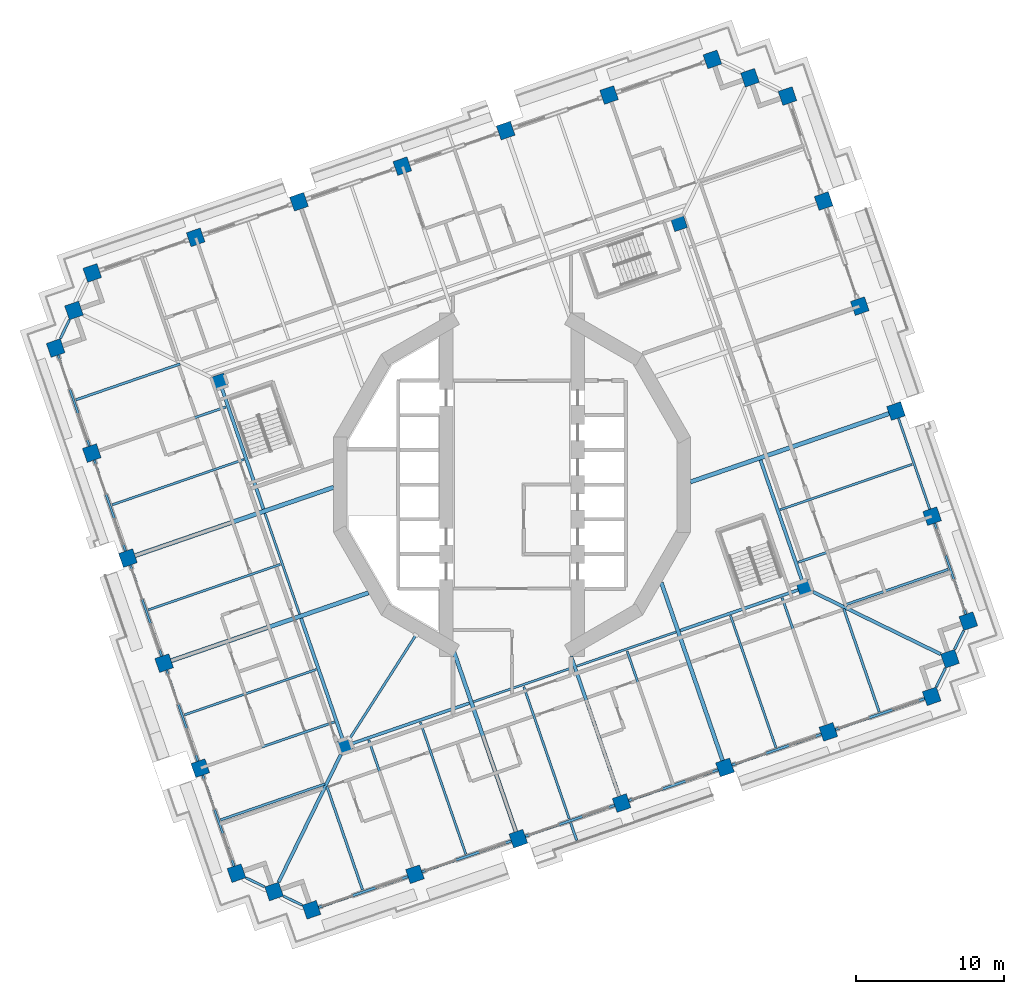
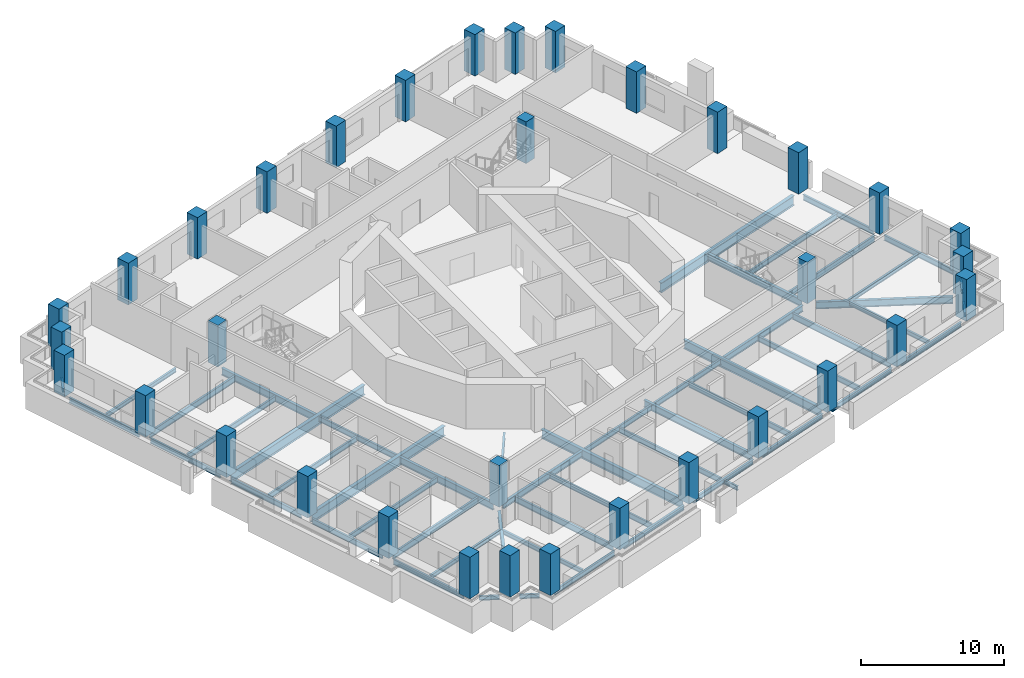
# One storey, part 1 of 19: 54 beams, 34 columns.
"""IFC4 building model written with IfcOpenShell, lengths in metres."""

from ifc_helpers import new_model, si_unit, direction, frame, origin, origin_2d, place, context, subcontext, project, spatial, rectangle, i_section, extrude, material, material_profile, profile_set, type_object, element, save


model = new_model("IFC4")

# Units and contexts
model_context = context("Model", 3, precision=1e-05, world=origin(), true_north=direction((0.0, 1.0)))
body_context = subcontext(model_context, "Body", "Model", "MODEL_VIEW")
ifc_project = project(units=[si_unit("LENGTHUNIT", "METRE"), si_unit("AREAUNIT", "SQUARE_METRE"), si_unit("VOLUMEUNIT", "CUBIC_METRE"), si_unit("PLANEANGLEUNIT", "RADIAN"), si_unit("MASSUNIT", "GRAM", prefix="KILO")], contexts=[model_context])

# Site, building, storey
site_placement = place(None, origin())
site = spatial("IfcSite", under=ifc_project, at=site_placement, CompositionType="ELEMENT")
building_placement = place(site_placement, origin())
building = spatial("IfcBuilding", under=site, at=building_placement, Name="Cantera Rosa Tower", CompositionType="ELEMENT")
storey_placement = place(building_placement, frame((0.0, 0.0, 111.699951171875)))
storey = spatial("IfcBuildingStorey", under=building, at=storey_placement, Name="L22", CompositionType="ELEMENT", Elevation=111.699951171875)

# Columns
ifc_material_1 = material(Name="Concrete C70/85", Category="concrete")
ifc_material_profile_1 = material_profile(ifc_material_1, rectangle(XDim=1.0, YDim=1.0, at=origin_2d()), Name="RC COLUMN RC1000X1000 C70/85")
ifc_profile_set_1 = profile_set([ifc_material_profile_1], Name="Concrete C70/85")
column_type_1 = type_object("IfcColumnType", Name="RC COLUMN RC1000X1000 C70/85", PredefinedType="COLUMN", material=ifc_profile_set_1)
for number, where, z_axis, x_axis, name in (
    (1, (30.893310546875, -9.245849609375, 0.0), (0.0, 0.0, 1.0), (0.945518575599, 0.325568154457, 0.0), "C-Z2-01 L22"),
    (2, (28.445068359375, -2.135498046875, 0.0), (0.0, 0.0, 1.0), (0.945518575599, 0.325568154457, 0.0), "C-Z2-02 L22"),
    (3, (25.996826171875, 4.974853515625, 0.0), (0.0, 0.0, 1.0), (0.945518575599, 0.325568154457, 0.0), "C-Z2-03 L22"),
    (4, (23.54833984375, 12.0849609375, 0.0), (0.0, 0.0, 1.0), (0.945518575599, 0.325568154457, 0.0), "C-Z2-04 L22"),
    (5, (21.10009765625, 19.1953125, 0.0), (0.0, 0.0, 1.0), (0.945518575599, 0.325568154457, 0.0), "C-Z2-05 L22"),
    (6, (18.65185546875, 26.3056640625, 0.0), (0.0, 0.0, 1.0), (0.945518575599, 0.325568154457, 0.0), "C-Z2-06 L22"),
    (7, (16.109619140625, 27.545654296875, 0.0), (0.0, 0.0, 1.0), (0.945518575599, 0.325568154457, 0.0), "C-Z2-07 L22"),
    (8, (13.567626953125, 28.785400390625, 0.0), (0.0, 0.0, 1.0), (0.945518575599, 0.325568154457, 0.0), "C-Z2-08 L22"),
    (9, (6.57080078125, 26.376220703125, 0.0), (0.0, 0.0, 1.0), (0.945518575599, 0.325568154457, 0.0), "C-Z2-09 L22"),
    (10, (-0.426025390625, 23.967041015625, 0.0), (0.0, 0.0, 1.0), (0.945518575599, 0.325568154457, 0.0), "C-Z2-10 L22"),
    (11, (-7.4228515625, 21.557861328125, 0.0), (0.0, 0.0, 1.0), (0.945518575599, 0.325568154457, 0.0), "C-Z2-11 L22"),
    (12, (-14.419677734375, 19.148681640625, 0.0), (0.0, 0.0, 1.0), (0.945518575599, 0.325568154457, 0.0), "C-Z2-12 L22"),
    (13, (-21.416748046875, 16.739501953125, 0.0), (0.0, 0.0, 1.0), (0.945518575599, 0.325568154457, 0.0), "C-Z2-13 L22"),
    (14, (-28.41357421875, 14.330322265625, 0.0), (0.0, 0.0, 1.0), (0.945518575599, 0.325568154457, 0.0), "C-Z2-14 L22"),
    (15, (-29.6533203125, 11.7880859375, 0.0), (0.0, 0.0, 1.0), (0.945518575599, 0.325568154457, 0.0), "C-Z2-15 L22"),
    (16, (-30.893310546875, 9.245849609375, 0.0), (0.0, 0.0, 1.0), (0.945518575599, 0.325568154457, 0.0), "C-Z2-16 L22"),
    (17, (-28.445068359375, 2.135498046875, 0.0), (0.0, 0.0, 1.0), (0.945518575599, 0.325568154457, 0.0), "C-Z2-17 L22"),
    (18, (-25.996826171875, -4.974853515625, 0.0), (0.0, 0.0, 1.0), (0.945518575599, 0.325568154457, 0.0), "C-Z2-18 L22"),
    (19, (-23.54833984375, -12.0849609375, 0.0), (0.0, 0.0, 1.0), (0.945518575599, 0.325568154457, 0.0), "C-Z2-19 L22"),
    (20, (-21.10009765625, -19.1953125, 0.0), (0.0, 0.0, 1.0), (0.945518575599, 0.325568154457, 0.0), "C-Z2-20 L22"),
    (21, (-18.65185546875, -26.3056640625, 0.0), (0.0, 0.0, 1.0), (0.945518575599, 0.325568154457, 0.0), "C-Z2-21 L22"),
    (22, (-16.109619140625, -27.545654296875, 0.0), (0.0, 0.0, 1.0), (0.945518575599, 0.325568154457, 0.0), "C-Z2-22 L22"),
    (23, (-13.567626953125, -28.785400390625, 0.0), (0.0, 0.0, 1.0), (0.945518575599, 0.325568154457, 0.0), "C-Z2-23 L22"),
    (24, (-6.57080078125, -26.376220703125, 0.0), (0.0, 0.0, 1.0), (0.945518575599, 0.325568154457, 0.0), "C-Z2-24 L22"),
    (25, (0.426025390625, -23.967041015625, 0.0), (0.0, 0.0, 1.0), (0.945518575599, 0.325568154457, 0.0), "C-Z2-25 L22"),
    (26, (7.4228515625, -21.557861328125, 0.0), (0.0, 0.0, 1.0), (0.945518575599, 0.325568154457, 0.0), "C-Z2-26 L22"),
    (27, (14.419677734375, -19.148681640625, 0.0), (0.0, 0.0, 1.0), (0.945518575599, 0.325568154457, 0.0), "C-Z2-27 L22"),
    (28, (21.416748046875, -16.739501953125, 0.0), (0.0, 0.0, 1.0), (0.945518575599, 0.325568154457, 0.0), "C-Z2-28 L22"),
    (29, (28.41357421875, -14.330322265625, 0.0), (0.0, 0.0, 1.0), (0.945518575599, 0.325568154457, 0.0), "C-Z2-29 L22"),
    (30, (29.6533203125, -11.7880859375, 0.0), (0.0, 0.0, 1.0), (0.945518575599, 0.325568154457, 0.0), "C-Z2-30 L22"),
):
    element("IfcColumn", number, at=place(storey_placement, frame(where, z_axis=z_axis, x_axis=x_axis)), inside=storey, type_object=column_type_1, Name=name, PredefinedType="COLUMN", context=body_context, shape_type="SweptSolid", body=[
        extrude(rectangle(XDim=1.0, YDim=1.0, at=origin_2d()), origin(), (0.0, 0.0, 1.0), 3.550048828125),
    ])
ifc_material_2 = material(Name="Concrete C70/85", Category="concrete")
ifc_material_profile_2 = material_profile(ifc_material_2, rectangle(XDim=0.89990234375, YDim=0.89990234375, at=origin_2d()), Name="RC RING COLUMN RC900X900 C70/85")
ifc_profile_set_2 = profile_set([ifc_material_profile_2], Name="Concrete C70/85")
column_type_2 = type_object("IfcColumnType", Name="RC RING COLUMN RC900X900 C70/85", PredefinedType="COLUMN", material=ifc_profile_set_2)
for number, where, z_axis, x_axis, name in (
    (31, (11.30517578125, 17.694580078125, 0.0), (0.0, 0.0, 1.0), (0.945518575599, 0.325568154457, 0.0), "CI-Z2-1 L22"),
    (32, (-19.802490234375, 6.9833984375, 0.0), (0.0, 0.0, 1.0), (0.945518575599, 0.325568154457, 0.0), "CI-Z2-2 L22"),
    (33, (-11.30517578125, -17.694580078125, 0.0), (0.0, 0.0, 1.0), (0.945518575599, 0.325568154457, 0.0), "CI-Z2-3 L22"),
    (34, (19.802490234375, -6.9833984375, 0.0), (0.0, 0.0, 1.0), (0.945518575599, 0.325568154457, 0.0), "CI-Z2-4 L22"),
):
    element("IfcColumn", number, at=place(storey_placement, frame(where, z_axis=z_axis, x_axis=x_axis)), inside=storey, type_object=column_type_2, Name=name, PredefinedType="COLUMN", context=body_context, shape_type="SweptSolid", body=[
        extrude(rectangle(XDim=0.89990234375, YDim=0.89990234375, at=origin_2d()), origin(), (0.0, 0.0, 1.0), 3.550048828125),
    ])

# Beams
ifc_material_3 = material(Name="Steel ASTM A992 (Fy 345 MPa)", Category="steel")
ifc_material_profile_3 = material_profile(ifc_material_3, i_section(OverallWidth=0.154052734375, OverallDepth=0.4599609375, WebThickness=0.009033203125, FlangeThickness=0.015380859375, FilletRadius=0.01025390625, at=origin_2d()), Name="W460X68")
ifc_profile_set_3 = profile_set([ifc_material_profile_3], Name="Steel ASTM A992 (Fy 345 MPa)")
beam_type_1 = type_object("IfcBeamType", Name="STEEL BEAM W460X68", PredefinedType="BEAM", material=ifc_profile_set_3)
for number, where, z_axis, x_axis, name in (
    (35, (-2.6064453125, -14.699462890625, -0.47998046875), (0.9455219702, 0.325558295653, 0.0), (-0.325558295653, 0.9455219702, 0.0), "RB-Z2-06 L22"),
    (36, (4.390380859375, -12.290283203125, -0.47998046875), (0.9455219702, 0.325558295653, 0.0), (-0.325558295653, 0.9455219702, 0.0), "RB-Z2-07 L22"),
):
    element("IfcBeam", number, at=place(storey_placement, frame(where, z_axis=z_axis, x_axis=x_axis)), inside=storey, type_object=beam_type_1, Name=name, PredefinedType="BEAM", context=body_context, shape_type="SweptSolid", body=[
        extrude(i_section(OverallWidth=0.154052734375, OverallDepth=0.4599609375, WebThickness=0.009033203125, FlangeThickness=0.015380859375, FilletRadius=0.01025390625, at=origin_2d()), origin(), (0.0, 0.0, 1.0), 7.10009765625),
    ])
beam_1_placement = place(storey_placement, frame((-14.37841796875, -8.768798828125, -0.47998046875), z_axis=(-0.325575881702, 0.94551591486, 0.0), x_axis=(-0.94551591486, -0.325575881702, 0.0)))
element("IfcBeam", 37, at=beam_1_placement, inside=storey, type_object=beam_type_1, Name="RB-Z2-13 L22", PredefinedType="BEAM", context=body_context, shape_type="SweptSolid", body=[
    extrude(i_section(OverallWidth=0.154052734375, OverallDepth=0.4599609375, WebThickness=0.009033203125, FlangeThickness=0.015380859375, FilletRadius=0.01025390625, at=origin_2d()), origin(), (0.0, 0.0, 1.0), 7.2197265625),
])
ifc_material_4 = material(Name="Steel ASTM A992 (Fy 345 MPa)", Category="steel")
ifc_material_profile_4 = material_profile(ifc_material_4, i_section(OverallWidth=0.166015625, OverallDepth=0.528076171875, WebThickness=0.009765625, FlangeThickness=0.013671875, FilletRadius=0.0126953125, at=origin_2d()), Name="W530X74")
ifc_profile_set_4 = profile_set([ifc_material_profile_4], Name="Steel ASTM A992 (Fy 345 MPa)")
beam_type_2 = type_object("IfcBeamType", Name="STEEL BEAM W530X74", PredefinedType="BEAM", material=ifc_profile_set_4)
for number, where, z_axis, x_axis, name in (
    (38, (27.97216796875, -2.29833984375, -0.513916015625), (-0.94551971591, -0.325564842737, 0.0), (0.325564842737, -0.94551971591, 0.0), "G-Z2-01 L22"),
    (39, (-6.7333984375, -25.903564453125, -0.513916015625), (-0.325588827377, 0.945511457089, 0.0), (-0.945511457089, -0.325588827377, 0.0), "G-Z2-10 L22"),
    (40, (21.25390625, -16.2666015625, -0.513916015625), (-0.325564842737, 0.94551971591, 0.0), (-0.94551971591, -0.325564842737, 0.0), "G-Z2-14 L22"),
    (41, (-27.97216796875, 2.29833984375, -0.513916015625), (0.94551971591, 0.325564842737, 0.0), (-0.325564842737, 0.94551971591, 0.0), "G-Z2-15 L22"),
    (42, (-20.62744140625, -19.032470703125, -0.513916015625), (0.94551971591, 0.325564842737, 0.0), (-0.325564842737, 0.94551971591, 0.0), "G-Z2-18 L22"),
):
    element("IfcBeam", number, at=place(storey_placement, frame(where, z_axis=z_axis, x_axis=x_axis)), inside=storey, type_object=beam_type_2, Name=name, PredefinedType="BEAM", context=body_context, shape_type="SweptSolid", body=[
        extrude(i_section(OverallWidth=0.166015625, OverallDepth=0.528076171875, WebThickness=0.009765625, FlangeThickness=0.013671875, FilletRadius=0.0126953125, at=origin_2d()), origin(), (0.0, 0.0, 1.0), 9.10009765625),
    ])
beam_2_placement = place(storey_placement, frame((-10.995849609375, -17.21044921875, -0.513916015625), z_axis=(0.538396209095, 0.842691830999, 0.0), x_axis=(-0.842691830999, 0.538396209095, 0.0)))
element("IfcBeam", 43, at=beam_2_placement, inside=storey, type_object=beam_type_2, Name="PG-Z2-01 L22", PredefinedType="BEAM", context=body_context, shape_type="SweptSolid", body=[
    extrude(i_section(OverallWidth=0.166015625, OverallDepth=0.528076171875, WebThickness=0.009765625, FlangeThickness=0.013671875, FilletRadius=0.0126953125, at=origin_2d()), origin(), (0.0, 0.0, 1.0), 8.3369140625),
])
ifc_material_5 = material(Name="Steel ASTM A992 (Fy 345 MPa)", Category="steel")
ifc_material_profile_5 = material_profile(ifc_material_5, i_section(OverallWidth=0.208984375, OverallDepth=0.532958984375, WebThickness=0.01025390625, FlangeThickness=0.015625, FilletRadius=0.0126953125, at=origin_2d()), Name="W530X92")
ifc_profile_set_5 = profile_set([ifc_material_profile_5], Name="Steel ASTM A992 (Fy 345 MPa)")
beam_type_3 = type_object("IfcBeamType", Name="STEEL BEAM W530X92", PredefinedType="BEAM", material=ifc_profile_set_5)
beam_3_placement = place(storey_placement, frame((-10.879638671875, -17.548095703125, -0.516357421875), z_axis=(0.945522715377, 0.325556131421, 0.0), x_axis=(-0.325556131421, 0.945522715377, 0.0)))
element("IfcBeam", 44, at=beam_3_placement, inside=storey, type_object=beam_type_3, Name="RB-Z2-05 L22", PredefinedType="BEAM", context=body_context, shape_type="SweptSolid", body=[
    extrude(i_section(OverallWidth=0.208984375, OverallDepth=0.532958984375, WebThickness=0.01025390625, FlangeThickness=0.015625, FilletRadius=0.0126953125, at=origin_2d()), origin(), (0.0, 0.0, 1.0), 8.4501953125),
])
beam_4_placement = place(storey_placement, frame((11.387451171875, -9.880859375, -0.516357421875), z_axis=(0.945519653071, 0.325565025235, 0.0), x_axis=(-0.325565025235, 0.945519653071, 0.0)))
element("IfcBeam", 45, at=beam_4_placement, inside=storey, type_object=beam_type_3, Name="RB-Z2-08 L22", PredefinedType="BEAM", context=body_context, shape_type="SweptSolid", body=[
    extrude(i_section(OverallWidth=0.208984375, OverallDepth=0.532958984375, WebThickness=0.01025390625, FlangeThickness=0.015625, FilletRadius=0.0126953125, at=origin_2d()), origin(), (0.0, 0.0, 1.0), 8.449951171875),
])
ifc_material_6 = material(Name="Steel ASTM A992 (Fy 345 MPa)", Category="steel")
ifc_material_profile_6 = material_profile(ifc_material_6, i_section(OverallWidth=0.22802734375, OverallDepth=0.60205078125, WebThickness=0.010498046875, FlangeThickness=0.014892578125, FilletRadius=0.0126953125, at=origin_2d()), Name="W610X101")
ifc_profile_set_6 = profile_set([ifc_material_profile_6], Name="Steel ASTM A992 (Fy 345 MPa)")
beam_type_4 = type_object("IfcBeamType", Name="STEEL BEAM W610X101", PredefinedType="BEAM", material=ifc_profile_set_6)
beam_5_placement = place(storey_placement, frame((-15.7998046875, -26.909912109375, -0.551025390625), z_axis=(0.438387618569, 0.898786012288, 0.0), x_axis=(-0.898786012288, 0.438387618569, 0.0)))
element("IfcBeam", 46, at=beam_5_placement, inside=storey, type_object=beam_type_4, Name="CB-Z2-03 L22", PredefinedType="BEAM", context=body_context, shape_type="SweptSolid", body=[
    extrude(i_section(OverallWidth=0.22802734375, OverallDepth=0.60205078125, WebThickness=0.010498046875, FlangeThickness=0.014892578125, FilletRadius=0.0126953125, at=origin_2d()), origin(), (0.0, 0.0, 1.0), 9.61669921875),
])
beam_6_placement = place(storey_placement, frame((29.017822265625, -11.47802734375, -0.551025390625), z_axis=(-0.898796015179, 0.438367109965, 0.0), x_axis=(-0.438367109965, -0.898796015179, 0.0)))
element("IfcBeam", 47, at=beam_6_placement, inside=storey, type_object=beam_type_4, Name="CB-Z2-04 L22", PredefinedType="BEAM", context=body_context, shape_type="SweptSolid", body=[
    extrude(i_section(OverallWidth=0.22802734375, OverallDepth=0.60205078125, WebThickness=0.010498046875, FlangeThickness=0.014892578125, FilletRadius=0.0126953125, at=origin_2d()), origin(), (0.0, 0.0, 1.0), 9.616455078125),
])
beam_7_placement = place(storey_placement, frame((7.26025390625, -21.0849609375, -0.551025390625), z_axis=(-0.325587365823, 0.945511960377, 0.0), x_axis=(-0.945511960377, -0.325587365823, 0.0)))
element("IfcBeam", 48, at=beam_7_placement, inside=storey, type_object=beam_type_4, Name="G-Z2-12 L22", PredefinedType="BEAM", context=body_context, shape_type="SweptSolid", body=[
    extrude(i_section(OverallWidth=0.22802734375, OverallDepth=0.60205078125, WebThickness=0.010498046875, FlangeThickness=0.014892578125, FilletRadius=0.0126953125, at=origin_2d()), origin(), (0.0, 0.0, 1.0), 10.0),
])
for number, where, z_axis, x_axis, name in (
    (49, (19.656005859375, -6.557861328125, -0.551025390625), (-0.325584584945, 0.945512917969, 0.0), (-0.945512917969, -0.325584584945, 0.0), "RB-Z2-09 L22"),
    (50, (-11.45166015625, -17.26904296875, -0.551025390625), (-0.325559468466, 0.945521566381, 0.0), (-0.945521566381, -0.325559468466, 0.0), "RB-Z2-12 L22"),
    (51, (-16.82666015625, -1.65869140625, -0.551025390625), (-0.325584584945, 0.945512917969, 0.0), (-0.945512917969, -0.325584584945, 0.0), "RB-Z2-14 L22"),
):
    element("IfcBeam", number, at=place(storey_placement, frame(where, z_axis=z_axis, x_axis=x_axis)), inside=storey, type_object=beam_type_4, Name=name, PredefinedType="BEAM", context=body_context, shape_type="SweptSolid", body=[
        extrude(i_section(OverallWidth=0.22802734375, OverallDepth=0.60205078125, WebThickness=0.010498046875, FlangeThickness=0.014892578125, FilletRadius=0.0126953125, at=origin_2d()), origin(), (0.0, 0.0, 1.0), 8.68994140625),
    ])
ifc_material_7 = material(Name="Steel ASTM A992 (Fy 345 MPa)", Category="steel")
ifc_material_profile_7 = material_profile(ifc_material_7, i_section(OverallWidth=0.26708984375, OverallDepth=0.75390625, WebThickness=0.01318359375, FlangeThickness=0.01708984375, FilletRadius=0.0166015625, at=origin_2d()), Name="W760X147")
ifc_profile_set_7 = profile_set([ifc_material_profile_7], Name="Steel ASTM A992 (Fy 345 MPa)")
beam_type_5 = type_object("IfcBeamType", Name="STEEL BEAM W760X147", PredefinedType="BEAM", material=ifc_profile_set_7)
beam_8_placement = place(storey_placement, frame((0.263427734375, -23.494384765625, -0.626953125), z_axis=(-0.325569500581, 0.945518112091, 0.0), x_axis=(-0.945518112091, -0.325569500581, 0.0)))
element("IfcBeam", 52, at=beam_8_placement, inside=storey, type_object=beam_type_5, Name="G-Z2-11 L22", PredefinedType="BEAM", context=body_context, shape_type="SweptSolid", body=[
    extrude(i_section(OverallWidth=0.26708984375, OverallDepth=0.75390625, WebThickness=0.01318359375, FlangeThickness=0.01708984375, FilletRadius=0.0166015625, at=origin_2d()), origin(), (0.0, 0.0, 1.0), 13.09521484375),
])
beam_9_placement = place(storey_placement, frame((14.257080078125, -18.67578125, -0.626953125), z_axis=(-0.325575880476, 0.945515915282, 0.0), x_axis=(-0.945515915282, -0.325575880476, 0.0)))
element("IfcBeam", 53, at=beam_9_placement, inside=storey, type_object=beam_type_5, Name="G-Z2-13 L22", PredefinedType="BEAM", context=body_context, shape_type="SweptSolid", body=[
    extrude(i_section(OverallWidth=0.26708984375, OverallDepth=0.75390625, WebThickness=0.01318359375, FlangeThickness=0.01708984375, FilletRadius=0.0166015625, at=origin_2d()), origin(), (0.0, 0.0, 1.0), 12.734375),
])
ifc_material_8 = material(Name="Steel ASTM A992 (Fy 345 MPa)", Category="steel")
ifc_material_profile_8 = material_profile(ifc_material_8, i_section(OverallWidth=0.2919921875, OverallDepth=0.8359375, WebThickness=0.013916015625, FlangeThickness=0.018798828125, FilletRadius=0.017822265625, at=origin_2d()), Name="W840X176")
ifc_profile_set_8 = profile_set([ifc_material_profile_8], Name="Steel ASTM A992 (Fy 345 MPa)")
beam_type_6 = type_object("IfcBeamType", Name="STEEL BEAM W840X176", PredefinedType="BEAM", material=ifc_profile_set_8)
for number, where, z_axis, x_axis, name in (
    (54, (25.52392578125, 4.81201171875, -0.66796875), (-0.945515154884, -0.325578088765, 0.0), (0.325578088765, -0.945515154884, 0.0), "G-Z2-02 L22"),
    (55, (-25.52392578125, -4.81201171875, -0.66796875), (0.945515154884, 0.325578088765, 0.0), (-0.325578088765, 0.945515154884, 0.0), "G-Z2-16 L22"),
):
    element("IfcBeam", number, at=place(storey_placement, frame(where, z_axis=z_axis, x_axis=x_axis)), inside=storey, type_object=beam_type_6, Name=name, PredefinedType="BEAM", context=body_context, shape_type="SweptSolid", body=[
        extrude(i_section(OverallWidth=0.2919921875, OverallDepth=0.8359375, WebThickness=0.013916015625, FlangeThickness=0.018798828125, FilletRadius=0.017822265625, at=origin_2d()), origin(), (0.0, 0.0, 1.0), 14.22509765625),
    ])
beam_10_placement = place(storey_placement, frame((-23.07568359375, -11.92236328125, -0.66796875), z_axis=(0.945516836256, 0.325573205833, 0.0), x_axis=(-0.325573205833, 0.945516836256, 0.0)))
element("IfcBeam", 56, at=beam_10_placement, inside=storey, type_object=beam_type_6, Name="G-Z2-17 L22", PredefinedType="BEAM", context=body_context, shape_type="SweptSolid", body=[
    extrude(i_section(OverallWidth=0.2919921875, OverallDepth=0.8359375, WebThickness=0.013916015625, FlangeThickness=0.018798828125, FilletRadius=0.017822265625, at=origin_2d()), origin(), (0.0, 0.0, 1.0), 14.130615234375),
])
ifc_material_9 = material(Name="Steel ASTM A992 (Fy 345 MPa)", Category="steel")
ifc_material_profile_9 = material_profile(ifc_material_9, i_section(OverallWidth=0.1708984375, OverallDepth=0.35595703125, WebThickness=0.00732421875, FlangeThickness=0.01171875, FilletRadius=0.010009765625, at=origin_2d()), Name="W360X51")
ifc_profile_set_9 = profile_set([ifc_material_profile_9], Name="Steel ASTM A992 (Fy 345 MPa)")
beam_type_7 = type_object("IfcBeamType", Name="STEEL JOIST W360X51", PredefinedType="JOIST", material=ifc_profile_set_9)
beam_11_placement = place(storey_placement, frame((29.52734375, -5.739501953125, -0.427978515625), z_axis=(-0.945521732807, -0.325558985116, 0.0), x_axis=(0.325558985116, -0.945521732807, 0.0)))
element("IfcBeam", 57, at=beam_11_placement, inside=storey, type_object=beam_type_7, Name="B-Z2-01 L22", PredefinedType="JOIST", context=body_context, shape_type="SweptSolid", body=[
    extrude(i_section(OverallWidth=0.1708984375, OverallDepth=0.35595703125, WebThickness=0.00732421875, FlangeThickness=0.01171875, FilletRadius=0.010009765625, at=origin_2d()), origin(), (0.0, 0.0, 1.0), 7.460205078125),
])
for number, where, z_axis, x_axis, name in (
    (58, (-10.117919921875, -27.43896484375, -0.427978515625), (-0.325565645331, 0.945519439557, 0.0), (-0.945519439557, -0.325565645331, 0.0), "B-Z2-12 L22"),
    (59, (24.8662109375, -15.39306640625, -0.427978515625), (-0.325565645331, 0.945519439557, 0.0), (-0.945519439557, -0.325565645331, 0.0), "B-Z2-17 L22"),
):
    element("IfcBeam", number, at=place(storey_placement, frame(where, z_axis=z_axis, x_axis=x_axis)), inside=storey, type_object=beam_type_7, Name=name, PredefinedType="JOIST", context=body_context, shape_type="SweptSolid", body=[
        extrude(i_section(OverallWidth=0.1708984375, OverallDepth=0.35595703125, WebThickness=0.00732421875, FlangeThickness=0.01171875, FilletRadius=0.010009765625, at=origin_2d()), origin(), (0.0, 0.0, 1.0), 7.39990234375),
    ])
beam_12_placement = place(storey_placement, frame((-29.52734375, 5.739501953125, -0.427978515625), z_axis=(0.945521732807, 0.325558985116, 0.0), x_axis=(-0.325558985116, 0.945521732807, 0.0)))
element("IfcBeam", 60, at=beam_12_placement, inside=storey, type_object=beam_type_7, Name="B-Z2-18 L22", PredefinedType="JOIST", context=body_context, shape_type="SweptSolid", body=[
    extrude(i_section(OverallWidth=0.1708984375, OverallDepth=0.35595703125, WebThickness=0.00732421875, FlangeThickness=0.01171875, FilletRadius=0.010009765625, at=origin_2d()), origin(), (0.0, 0.0, 1.0), 7.460205078125),
])
beam_13_placement = place(storey_placement, frame((-19.734130859375, -22.70166015625, -0.427978515625), z_axis=(0.945518264054, 0.32556905925, 0.0), x_axis=(-0.32556905925, 0.945518264054, 0.0)))
element("IfcBeam", 61, at=beam_13_placement, inside=storey, type_object=beam_type_7, Name="B-Z2-22 L22", PredefinedType="JOIST", context=body_context, shape_type="SweptSolid", body=[
    extrude(i_section(OverallWidth=0.1708984375, OverallDepth=0.35595703125, WebThickness=0.00732421875, FlangeThickness=0.01171875, FilletRadius=0.010009765625, at=origin_2d()), origin(), (0.0, 0.0, 1.0), 7.4599609375),
])
beam_14_placement = place(storey_placement, frame((3.966796875, -22.88525390625, -0.427978515625), z_axis=(0.3256515674, -0.945489850104, 0.0), x_axis=(0.945489850104, 0.3256515674, 0.0)))
element("IfcBeam", 62, at=beam_14_placement, inside=storey, type_object=beam_type_7, Name="BS-Z2-04 L22", PredefinedType="JOIST", context=body_context, shape_type="SweptSolid", body=[
    extrude(i_section(OverallWidth=0.1708984375, OverallDepth=0.35595703125, WebThickness=0.00732421875, FlangeThickness=0.01171875, FilletRadius=0.010009765625, at=origin_2d()), origin(), (0.0, 0.0, 1.0), 1.2646484375),
])
ifc_material_10 = material(Name="Steel ASTM A992 (Fy 345 MPa)", Category="steel")
ifc_material_profile_10 = material_profile(ifc_material_10, i_section(OverallWidth=0.154052734375, OverallDepth=0.4599609375, WebThickness=0.009033203125, FlangeThickness=0.015380859375, FilletRadius=0.01025390625, at=origin_2d()), Name="W460X68")
ifc_profile_set_10 = profile_set([ifc_material_profile_10], Name="Steel ASTM A992 (Fy 345 MPa)")
beam_type_8 = type_object("IfcBeamType", Name="STEEL JOIST W460X68", PredefinedType="JOIST", material=ifc_profile_set_10)
beam_15_placement = place(storey_placement, frame((27.0791015625, 1.370849609375, -0.47998046875), z_axis=(-0.945518943957, -0.325567084667, 0.0), x_axis=(0.325567084667, -0.945518943957, 0.0)))
element("IfcBeam", 63, at=beam_15_placement, inside=storey, type_object=beam_type_8, Name="B-Z2-02 L22", PredefinedType="JOIST", context=body_context, shape_type="SweptSolid", body=[
    extrude(i_section(OverallWidth=0.154052734375, OverallDepth=0.4599609375, WebThickness=0.009033203125, FlangeThickness=0.015380859375, FilletRadius=0.01025390625, at=origin_2d()), origin(), (0.0, 0.0, 1.0), 9.4501953125),
])
for number, where, z_axis, x_axis, name in (
    (64, (-3.12109375, -25.02978515625, -0.47998046875), (-0.325575037498, 0.94551620555, 0.0), (-0.94551620555, -0.325575037498, 0.0), "B-Z2-13 L22"),
    (65, (3.875732421875, -22.62060546875, -0.47998046875), (-0.325575037498, 0.94551620555, 0.0), (-0.94551620555, -0.325575037498, 0.0), "B-Z2-14 L22"),
):
    element("IfcBeam", number, at=place(storey_placement, frame(where, z_axis=z_axis, x_axis=x_axis)), inside=storey, type_object=beam_type_8, Name=name, PredefinedType="JOIST", context=body_context, shape_type="SweptSolid", body=[
        extrude(i_section(OverallWidth=0.154052734375, OverallDepth=0.4599609375, WebThickness=0.009033203125, FlangeThickness=0.015380859375, FilletRadius=0.01025390625, at=origin_2d()), origin(), (0.0, 0.0, 1.0), 9.449951171875),
    ])
for number, where, z_axis, x_axis, name in (
    (66, (10.87255859375, -20.21142578125, -0.47998046875), (-0.325567084667, 0.945518943957, 0.0), (-0.945518943957, -0.325567084667, 0.0), "B-Z2-15 L22"),
    (67, (17.869384765625, -17.80224609375, -0.47998046875), (-0.325567084667, 0.945518943957, 0.0), (-0.945518943957, -0.325567084667, 0.0), "B-Z2-16 L22"),
    (68, (-27.0791015625, -1.370849609375, -0.47998046875), (0.945518943957, 0.325567084667, 0.0), (-0.325567084667, 0.945518943957, 0.0), "B-Z2-19 L22"),
    (69, (-24.630859375, -8.48095703125, -0.47998046875), (0.945526896389, 0.325543988125, 0.0), (-0.325543988125, 0.945526896389, 0.0), "B-Z2-20 L22"),
):
    element("IfcBeam", number, at=place(storey_placement, frame(where, z_axis=z_axis, x_axis=x_axis)), inside=storey, type_object=beam_type_8, Name=name, PredefinedType="JOIST", context=body_context, shape_type="SweptSolid", body=[
        extrude(i_section(OverallWidth=0.154052734375, OverallDepth=0.4599609375, WebThickness=0.009033203125, FlangeThickness=0.015380859375, FilletRadius=0.01025390625, at=origin_2d()), origin(), (0.0, 0.0, 1.0), 9.4501953125),
    ])
beam_16_placement = place(storey_placement, frame((-22.182373046875, -15.59130859375, -0.47998046875), z_axis=(0.94551620555, 0.325575037498, 0.0), x_axis=(-0.325575037498, 0.94551620555, 0.0)))
element("IfcBeam", 70, at=beam_16_placement, inside=storey, type_object=beam_type_8, Name="B-Z2-21 L22", PredefinedType="JOIST", context=body_context, shape_type="SweptSolid", body=[
    extrude(i_section(OverallWidth=0.154052734375, OverallDepth=0.4599609375, WebThickness=0.009033203125, FlangeThickness=0.015380859375, FilletRadius=0.01025390625, at=origin_2d()), origin(), (0.0, 0.0, 1.0), 9.449951171875),
])
ifc_material_11 = material(Name="Steel ASTM A992 (Fy 345 MPa)", Category="steel")
ifc_material_profile_11 = material_profile(ifc_material_11, i_section(OverallWidth=0.1708984375, OverallDepth=0.35595703125, WebThickness=0.00732421875, FlangeThickness=0.01171875, FilletRadius=0.010009765625, at=origin_2d()), Name="W360X51")
ifc_profile_set_11 = profile_set([ifc_material_profile_11], Name="Steel ASTM A992 (Fy 345 MPa)")
beam_type_9 = type_object("IfcBeamType", Name="STEEL SPANDREL BEAM W360X51", PredefinedType="SPANDREL", material=ifc_profile_set_11)
beam_17_placement = place(storey_placement, frame((-29.96337890625, 11.152587890625, -0.427978515625), z_axis=(-0.438284186308, -0.898836454552, 0.0), x_axis=(0.898836454552, -0.438284186308, 0.0)))
element("IfcBeam", 71, at=beam_17_placement, inside=storey, type_object=beam_type_9, Name="EB-Z2-15 L22", PredefinedType="SPANDREL", context=body_context, shape_type="SweptSolid", body=[
    extrude(i_section(OverallWidth=0.1708984375, OverallDepth=0.35595703125, WebThickness=0.00732421875, FlangeThickness=0.01171875, FilletRadius=0.010009765625, at=origin_2d()), origin(), (0.0, 0.0, 1.0), 1.414306640625),
])
for number, where, z_axis, x_axis, name in (
    (72, (-18.016357421875, -26.61572265625, -0.427978515625), (0.898803287583, -0.438352198842, 0.0), (0.438352198842, 0.898803287583, 0.0), "EB-Z2-21 L22"),
    (73, (-15.47412109375, -27.85546875, -0.427978515625), (0.898803287583, -0.438352198842, 0.0), (0.438352198842, 0.898803287583, 0.0), "EB-Z2-22 L22"),
):
    element("IfcBeam", number, at=place(storey_placement, frame(where, z_axis=z_axis, x_axis=x_axis)), inside=storey, type_object=beam_type_9, Name=name, PredefinedType="SPANDREL", context=body_context, shape_type="SweptSolid", body=[
        extrude(i_section(OverallWidth=0.1708984375, OverallDepth=0.35595703125, WebThickness=0.00732421875, FlangeThickness=0.01171875, FilletRadius=0.010009765625, at=origin_2d()), origin(), (0.0, 0.0, 1.0), 1.4140625),
    ])
for number, where, z_axis, x_axis, name in (
    (74, (28.723388671875, -13.694580078125, -0.427978515625), (0.438491655897, 0.898735260079, 0.0), (-0.898735260079, 0.438491655897, 0.0), "EB-Z2-29 L22"),
    (75, (29.96337890625, -11.152587890625, -0.427978515625), (0.438284186308, 0.898836454552, 0.0), (-0.898836454552, 0.438284186308, 0.0), "EB-Z2-30 L22"),
):
    element("IfcBeam", number, at=place(storey_placement, frame(where, z_axis=z_axis, x_axis=x_axis)), inside=storey, type_object=beam_type_9, Name=name, PredefinedType="SPANDREL", context=body_context, shape_type="SweptSolid", body=[
        extrude(i_section(OverallWidth=0.1708984375, OverallDepth=0.35595703125, WebThickness=0.00732421875, FlangeThickness=0.01171875, FilletRadius=0.010009765625, at=origin_2d()), origin(), (0.0, 0.0, 1.0), 1.414306640625),
    ])
ifc_material_12 = material(Name="Steel ASTM A992 (Fy 345 MPa)", Category="steel")
ifc_material_profile_12 = material_profile(ifc_material_12, i_section(OverallWidth=0.177978515625, OverallDepth=0.406005859375, WebThickness=0.0078125, FlangeThickness=0.0126953125, FilletRadius=0.01025390625, at=origin_2d()), Name="W410X60")
ifc_profile_set_12 = profile_set([ifc_material_profile_12], Name="Steel ASTM A992 (Fy 345 MPa)")
beam_type_10 = type_object("IfcBeamType", Name="STEEL SPANDREL BEAM W410X60", PredefinedType="SPANDREL", material=ifc_profile_set_12)
for number, where, z_axis, x_axis, name in (
    (76, (-13.0947265625, -28.62255859375, -0.452880859375), (0.945524496524, 0.325550958337, 0.0), (-0.325550958337, 0.945524496524, 0.0), "EB-Z2-23 L22"),
    (77, (-6.097900390625, -26.21337890625, -0.452880859375), (0.945524496524, 0.325550958337, 0.0), (-0.325550958337, 0.945524496524, 0.0), "EB-Z2-24 L22"),
    (78, (0.89892578125, -23.80419921875, -0.452880859375), (0.945524496524, 0.325550958337, 0.0), (-0.325550958337, 0.945524496524, 0.0), "EB-Z2-25 L22"),
    (79, (7.895751953125, -21.39501953125, -0.452880859375), (0.945524496524, 0.325550958337, 0.0), (-0.325550958337, 0.945524496524, 0.0), "EB-Z2-26 L22"),
    (80, (14.892578125, -18.98583984375, -0.452880859375), (0.945512753621, 0.325585062219, 0.0), (-0.325585062219, 0.945512753621, 0.0), "EB-Z2-27 L22"),
    (81, (21.889404296875, -16.57666015625, -0.452880859375), (0.945512753621, 0.325585062219, 0.0), (-0.325585062219, 0.945512753621, 0.0), "EB-Z2-28 L22"),
):
    element("IfcBeam", number, at=place(storey_placement, frame(where, z_axis=z_axis, x_axis=x_axis)), inside=storey, type_object=beam_type_10, Name=name, PredefinedType="SPANDREL", context=body_context, shape_type="SweptSolid", body=[
        extrude(i_section(OverallWidth=0.177978515625, OverallDepth=0.406005859375, WebThickness=0.0078125, FlangeThickness=0.0126953125, FilletRadius=0.01025390625, at=origin_2d()), origin(), (0.0, 0.0, 1.0), 6.39990234375),
    ])
ifc_material_13 = material(Name="Steel ASTM A992 (Fy 345 MPa)", Category="steel")
ifc_material_profile_13 = material_profile(ifc_material_13, i_section(OverallWidth=0.154052734375, OverallDepth=0.4599609375, WebThickness=0.009033203125, FlangeThickness=0.015380859375, FilletRadius=0.01025390625, at=origin_2d()), Name="W460X68")
ifc_profile_set_13 = profile_set([ifc_material_profile_13], Name="Steel ASTM A992 (Fy 345 MPa)")
beam_type_11 = type_object("IfcBeamType", Name="STEEL SPANDREL BEAM W460X68", PredefinedType="SPANDREL", material=ifc_profile_set_13)
for number, where, z_axis, x_axis, name in (
    (82, (30.73046875, -8.773193359375, -0.47998046875), (-0.325580990241, 0.945514155787, 0.0), (-0.945514155787, -0.325580990241, 0.0), "EB-Z2-01 L22"),
    (83, (28.2822265625, -1.662841796875, -0.47998046875), (-0.325580990241, 0.945514155787, 0.0), (-0.945514155787, -0.325580990241, 0.0), "EB-Z2-02 L22"),
    (84, (-30.73046875, 8.773193359375, -0.47998046875), (0.325580990241, -0.945514155787, 0.0), (0.945514155787, 0.325580990241, 0.0), "EB-Z2-16 L22"),
    (85, (-28.2822265625, 1.662841796875, -0.47998046875), (0.325580990241, -0.945514155787, 0.0), (0.945514155787, 0.325580990241, 0.0), "EB-Z2-17 L22"),
    (86, (-25.833984375, -5.447509765625, -0.47998046875), (0.325580990241, -0.945514155787, 0.0), (0.945514155787, 0.325580990241, 0.0), "EB-Z2-18 L22"),
    (87, (-23.3857421875, -12.557861328125, -0.47998046875), (0.325580990241, -0.945514155787, 0.0), (0.945514155787, 0.325580990241, 0.0), "EB-Z2-19 L22"),
):
    element("IfcBeam", number, at=place(storey_placement, frame(where, z_axis=z_axis, x_axis=x_axis)), inside=storey, type_object=beam_type_11, Name=name, PredefinedType="SPANDREL", context=body_context, shape_type="SweptSolid", body=[
        extrude(i_section(OverallWidth=0.154052734375, OverallDepth=0.4599609375, WebThickness=0.009033203125, FlangeThickness=0.015380859375, FilletRadius=0.01025390625, at=origin_2d()), origin(), (0.0, 0.0, 1.0), 6.52001953125),
    ])
beam_18_placement = place(storey_placement, frame((-20.9375, -19.668212890625, -0.47998046875), z_axis=(0.325592517631, -0.945510186335, 0.0), x_axis=(0.945510186335, 0.325592517631, 0.0)))
element("IfcBeam", 88, at=beam_18_placement, inside=storey, type_object=beam_type_11, Name="EB-Z2-20 L22", PredefinedType="SPANDREL", context=body_context, shape_type="SweptSolid", body=[
    extrude(i_section(OverallWidth=0.154052734375, OverallDepth=0.4599609375, WebThickness=0.009033203125, FlangeThickness=0.015380859375, FilletRadius=0.01025390625, at=origin_2d()), origin(), (0.0, 0.0, 1.0), 6.519775390625),
])

save(model, "model.ifc")
